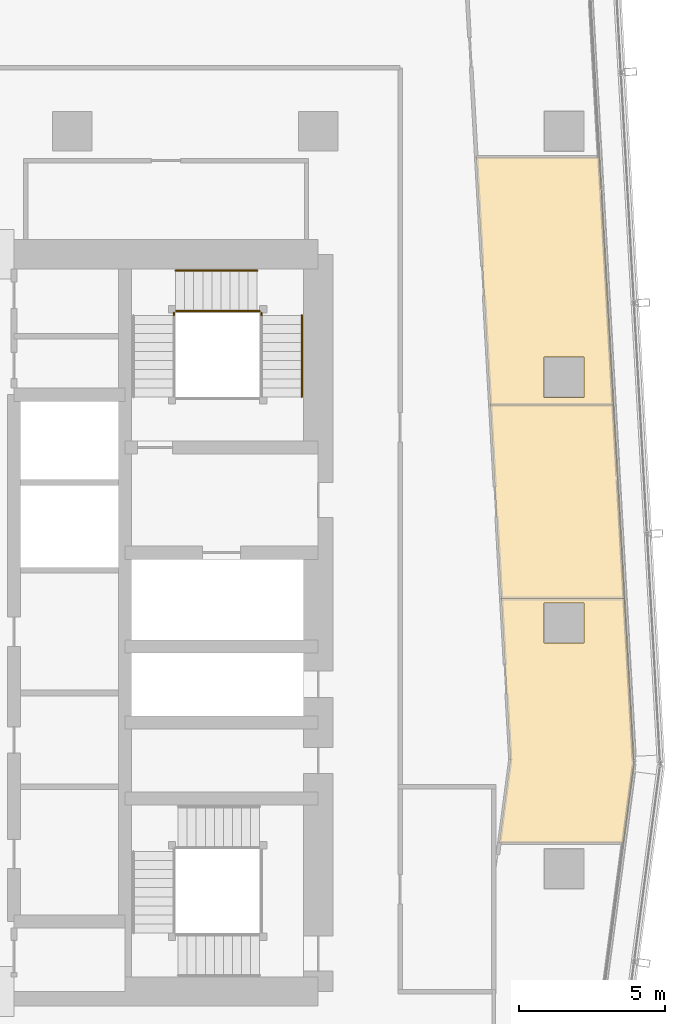
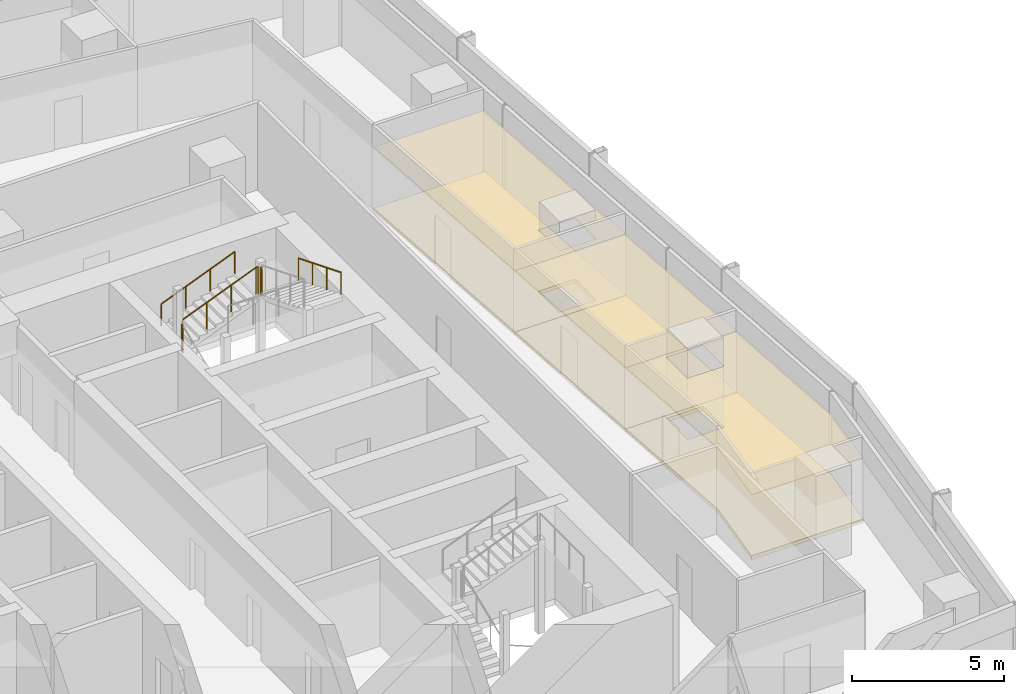
# One storey, part 37 of 38: 6 coverings, 6 railings.
"""IFC4 building model written with IfcOpenShell, lengths in metres."""

import ifcopenshell
import ifcopenshell.guid

model = None  # the IFC model being written
_history = None  # IfcOwnerHistory: only IFC2X3 demands one
_inside = {}  # id of a spatial element -> (the spatial element, [elements in it])
_under = {}  # id of a project, library or spatial element -> (it, [spatial elements below it])
_declared = {}  # id of a project -> (the project, [libraries it declares])
_typed = {}  # id of a type object -> (the type object, [elements of that type])
_made_of = {}  # id of a material, layer set ... -> (it, [elements and type objects made of it])


def new_model(schema):
    """Start an empty IFC model of exactly this schema.

    Asked for "IFC4X3", IfcOpenShell would pick the latest addendum, in which some entities
    have other attributes; the version numbers below select the first issue.
    IFC2X3 requires an IfcOwnerHistory on every rooted entity: one is made here for all.
    """
    global model, _history
    if schema == "IFC4X3":
        model = ifcopenshell.file(schema_version=(4, 3, 0, 0))
    else:
        model = ifcopenshell.file(schema=schema)
    _inside.clear()
    _under.clear()
    _declared.clear()
    _typed.clear()
    _made_of.clear()
    _history = None
    if model.schema == "IFC2X3":
        org = make("IfcOrganization", Name="unknown")
        user = make(
            "IfcPersonAndOrganization",
            ThePerson=make("IfcPerson", FamilyName="unknown"),
            TheOrganization=org,
        )
        app = make(
            "IfcApplication",
            ApplicationDeveloper=org,
            Version="unknown",
            ApplicationFullName="unknown",
            ApplicationIdentifier="unknown",
        )
        _history = make(
            "IfcOwnerHistory",
            OwningUser=user,
            OwningApplication=app,
            ChangeAction="ADDED",
            CreationDate=0,
        )
    return model


def make(cls, **values):
    """One entity of the class cls with the attributes given. An attribute that is None is left unset."""
    return model.create_entity(
        cls, **{name: value for name, value in values.items() if value is not None}
    )


def rooted(cls, **values):
    """An entity with a GlobalId (a new one), such as an element, a storey or a relation."""
    return make(cls, GlobalId=ifcopenshell.guid.new(), OwnerHistory=_history, **values)


def si_unit(unit_type, name, prefix=None):
    """IfcSIUnit, for example si_unit("LENGTHUNIT", "METRE", prefix="MILLI")."""
    return make("IfcSIUnit", UnitType=unit_type, Prefix=prefix, Name=name)


def assignment(units):
    """IfcUnitAssignment: the units of a project."""
    return None if units is None else make("IfcUnitAssignment", Units=units)


def point(xyz):
    """IfcCartesianPoint."""
    return None if xyz is None else make("IfcCartesianPoint", Coordinates=xyz)


def direction(xyz):
    """IfcDirection."""
    return None if xyz is None else make("IfcDirection", DirectionRatios=xyz)


def frame(location, z_axis=None, x_axis=None):
    """IfcAxis2Placement3D, a coordinate frame: its origin and axes. An axis left out is left unset."""
    return make(
        "IfcAxis2Placement3D",
        Location=point(location),
        Axis=direction(z_axis),
        RefDirection=direction(x_axis),
    )


def frame_2d(location, x_axis=None):
    """IfcAxis2Placement2D, a coordinate frame in the plane: its origin and x axis."""
    return make(
        "IfcAxis2Placement2D", Location=point(location), RefDirection=direction(x_axis)
    )


def origin():
    """The frame at (0, 0, 0) with its axes left unset."""
    return frame((0.0, 0.0, 0.0))


def origin_2d():
    """The frame at (0, 0) in the plane with its x axis left unset."""
    return frame_2d((0.0, 0.0))


def place(relative_to, where):
    """IfcLocalPlacement: puts the frame where relative to a parent placement (None: the world)."""
    return make(
        "IfcLocalPlacement", PlacementRelTo=relative_to, RelativePlacement=where
    )


def context(
    kind, dimensions, precision=None, world=None, true_north=None, identifier=None
):
    """IfcGeometricRepresentationContext, for example the 3D "Model" context."""
    return make(
        "IfcGeometricRepresentationContext",
        ContextIdentifier=identifier,
        ContextType=kind,
        CoordinateSpaceDimension=dimensions,
        Precision=precision,
        WorldCoordinateSystem=world,
        TrueNorth=true_north,
    )


def subcontext(parent, identifier, kind, view, scale=None):
    """IfcGeometricRepresentationSubContext, for example "Body" below "Model"."""
    return make(
        "IfcGeometricRepresentationSubContext",
        ContextIdentifier=identifier,
        ContextType=kind,
        ParentContext=parent,
        TargetScale=scale,
        TargetView=view,
    )


def project(units=None, contexts=None):
    """IfcProject with its units and contexts."""
    return rooted(
        "IfcProject",
        Name="project",
        RepresentationContexts=contexts,
        UnitsInContext=assignment(units),
    )


def spatial(cls, under=None, at=None, **own):
    """A site, building, storey or space (cls), placed at a placement, below another one or the project."""
    s = rooted(cls, ObjectPlacement=at, **own)
    if under is not None:
        _under.setdefault(under.id(), (under, []))[1].append(s)
    return s


def polyline(points):
    """IfcPolyline through the points."""
    return make("IfcPolyline", Points=[point(p) for p in points])


def profile(cls, at=None, kind="AREA", **sizes):
    """A parametric profile (cls). Its sizes go by their IFC names, for example OverallWidth=200.0."""
    return make(cls, ProfileType=kind, Position=at, **sizes)


def circle(**sizes):
    """IfcCircleProfileDef."""
    return profile("IfcCircleProfileDef", **sizes)


def outline(outer, holes=None, kind="AREA"):
    """IfcArbitraryClosedProfileDef: a profile drawn as a closed curve; with holes, ...WithVoids."""
    if holes is None:
        return make("IfcArbitraryClosedProfileDef", ProfileType=kind, OuterCurve=outer)
    return make(
        "IfcArbitraryProfileDefWithVoids",
        ProfileType=kind,
        OuterCurve=outer,
        InnerCurves=holes,
    )


def extrude(swept, where, along, depth):
    """IfcExtrudedAreaSolid: the profile swept, set in the frame where, extruded along a direction by depth."""
    return make(
        "IfcExtrudedAreaSolid",
        SweptArea=swept,
        Position=where,
        ExtrudedDirection=direction(along),
        Depth=depth,
    )


def shape(context_of_items, identifier, shape_type, items):
    """IfcShapeRepresentation: the items that make up one representation, for example the "Body"."""
    return make(
        "IfcShapeRepresentation",
        ContextOfItems=context_of_items,
        RepresentationIdentifier=identifier,
        RepresentationType=shape_type,
        Items=items,
    )


def material(Name=None, Category=None):
    """IfcMaterial."""
    return make("IfcMaterial", Name=Name, Category=Category)


def layer(
    of_material, thickness, ventilated=None, Name=None, Category=None, Priority=None
):
    """IfcMaterialLayer: one layer of a wall or slab, of a material (None: an air gap)."""
    return make(
        "IfcMaterialLayer",
        Material=of_material,
        LayerThickness=thickness,
        IsVentilated=ventilated,
        Name=Name,
        Category=Category,
        Priority=Priority,
    )


def layer_set(layers, Name=None):
    """IfcMaterialLayerSet."""
    return make("IfcMaterialLayerSet", MaterialLayers=layers, LayerSetName=Name)


def made_of(thing, what):
    """Note that an element or type object is made of a material, layer set ...; save() writes the relation."""
    if what is not None:
        _made_of.setdefault(what.id(), (what, []))[1].append(thing)
    return thing


def type_object(cls, material=None, **own):
    """A type object (cls), such as IfcWallType, which elements share."""
    return made_of(rooted(cls, **own), material)


def element(
    cls,
    number,
    at=None,
    inside=None,
    cuts=None,
    type_object=None,
    material=None,
    context=None,
    identifier="Body",
    shape_type=None,
    held_by="IfcProductDefinitionShape",
    body=None,
    shapes=None,
    **own,
):
    """One element of the class cls, such as IfcWall. Its Tag is "e" and its number.

    at: its placement. inside: the storey or other place that contains it. cuts: it is an
    opening in that element (IfcRelVoidsElement). A single representation is given by context,
    identifier, shape_type and body (its items); several are given by shapes. held_by: the class
    of the entity that holds the representations. save() writes the other relations.
    """
    e = rooted(cls, Tag="e%d" % number, ObjectPlacement=at, **own)
    if body is not None:
        shapes = [shape(context, identifier, shape_type, body)]
    if shapes is not None:
        e.Representation = make(held_by, Representations=shapes)
    if inside is not None:
        _inside.setdefault(inside.id(), (inside, []))[1].append(e)
    if cuts is not None:
        rooted(
            "IfcRelVoidsElement", RelatingBuildingElement=cuts, RelatedOpeningElement=e
        )
    if type_object is not None:
        _typed.setdefault(type_object.id(), (type_object, []))[1].append(e)
    return made_of(e, material)


def aggregate(whole, parts):
    """IfcRelAggregates: a whole, such as a stair, and the parts it consists of."""
    return rooted("IfcRelAggregates", RelatingObject=whole, RelatedObjects=parts)


def save(model, path):
    """Write the relations noted so far, then the file.

    IfcRelAggregates (storeys below a building ...), IfcRelContainedInSpatialStructure (elements
    in a storey), IfcRelDefinesByType, IfcRelAssociatesMaterial and IfcRelDeclares: one each for
    every whole, place, type object, material and project.
    """
    for whole, parts in _under.values():
        aggregate(whole, parts)
    for where, things in _inside.values():
        rooted(
            "IfcRelContainedInSpatialStructure",
            RelatedElements=things,
            RelatingStructure=where,
        )
    for kind, things in _typed.values():
        rooted("IfcRelDefinesByType", RelatedObjects=things, RelatingType=kind)
    for what, things in _made_of.values():
        rooted("IfcRelAssociatesMaterial", RelatedObjects=things, RelatingMaterial=what)
    for by, libraries in _declared.values():
        rooted("IfcRelDeclares", RelatingContext=by, RelatedDefinitions=libraries)
    model.write(path)


model = new_model("IFC4")

# Units and contexts
model_context = context("Model", 3, precision=1e-05, world=origin(), true_north=direction((0.0, 1.0)))
body_context = subcontext(model_context, "Body", "Model", "MODEL_VIEW")
ifc_project = project(units=[si_unit("LENGTHUNIT", "METRE"), si_unit("AREAUNIT", "SQUARE_METRE"), si_unit("VOLUMEUNIT", "CUBIC_METRE"), si_unit("PLANEANGLEUNIT", "RADIAN"), si_unit("MASSUNIT", "GRAM", prefix="KILO")], contexts=[model_context])

# Site, building, storey
site_placement = place(None, origin())
site = spatial("IfcSite", under=ifc_project, at=site_placement, CompositionType="ELEMENT")
building_placement = place(site_placement, origin())
building = spatial("IfcBuilding", under=site, at=building_placement, Name="Rekha Terrace Tower", CompositionType="ELEMENT")
storey_placement = place(building_placement, frame((0.0, 0.0, 198.949951171875)))
storey = spatial("IfcBuildingStorey", under=building, at=storey_placement, Name="L50", CompositionType="ELEMENT", Elevation=198.949951171875)

# Coverings
ifc_material_1 = material(Name="Mineral fibre tile in exposed grid", Category="finish")
ifc_layer_1 = layer(ifc_material_1, 0.02001953125)
ifc_layer_set_1 = layer_set([ifc_layer_1], Name="Mineral fibre tile in exposed grid")
covering_type_1 = type_object("IfcCoveringType", Name="CL1 600x1200 office grid ceiling", PredefinedType="CEILING", material=ifc_layer_set_1)
covering_1_placement = place(storey_placement, frame((0.0, 0.0, 2.580078125)))
element("IfcCovering", 1, at=covering_1_placement, inside=storey, type_object=covering_type_1, Name="Ceiling L50-03", PredefinedType="CEILING", context=body_context, shape_type="SweptSolid", body=[
    extrude(outline(polyline([(56.657958984375, 34.43310546875), (56.969970703125, 28.93798828125), (56.592041015625, 26.083984375), (60.8291015625, 26.083984375), (61.18603515625, 28.780029296875), (60.864990234375, 34.43310546875), (56.657958984375, 34.43310546875)]), holes=[polyline([(59.489990234375, 34.2900390625), (59.489990234375, 32.909912109375), (58.110107421875, 32.909912109375), (58.110107421875, 34.2900390625), (59.489990234375, 34.2900390625)])]), origin(), (0.0, 0.0, 1.0), 0.02001953125),
])
covering_2_placement = place(storey_placement, frame((0.0, 0.0, 2.580078125)))
element("IfcCovering", 2, at=covering_2_placement, inside=storey, type_object=covering_type_1, Name="Ceiling L50-04", PredefinedType="CEILING", context=body_context, shape_type="SweptSolid", body=[
    extrude(outline(polyline([(56.657958984375, 34.43408203125), (60.864990234375, 34.43408203125), (60.489013671875, 41.053955078125), (56.282958984375, 41.053955078125), (56.657958984375, 34.43408203125)])), origin(), (0.0, 0.0, 1.0), 0.02001953125),
])
covering_3_placement = place(storey_placement, frame((0.0, 0.0, 2.580078125)))
element("IfcCovering", 3, at=covering_3_placement, inside=storey, type_object=covering_type_1, Name="Ceiling L50-05", PredefinedType="CEILING", context=body_context, shape_type="SweptSolid", body=[
    extrude(outline(polyline([(56.282958984375, 41.054931640625), (60.489013671875, 41.054931640625), (60.009033203125, 49.52001953125), (55.802001953125, 49.52001953125), (56.282958984375, 41.054931640625)]), holes=[polyline([(59.489990234375, 41.31005859375), (58.110107421875, 41.31005859375), (58.110107421875, 42.68994140625), (59.489990234375, 42.68994140625), (59.489990234375, 41.31005859375)])]), origin(), (0.0, 0.0, 1.0), 0.02001953125),
])

# Railings
ifc_material_2 = material(Name="Stainless steel balustrade", Category="steel")
railing_type_1 = type_object("IfcRailingType", Name="GR1 1100 stair guard", PredefinedType="GUARDRAIL", material=ifc_material_2)
railing_1_placement = place(storey_placement, frame((45.52490234375, 44.260009765625, 1.375)))
element("IfcRailing", 4, at=railing_1_placement, inside=storey, type_object=railing_type_1, Name="Guard ST2 L50 flight 2", PredefinedType="GUARDRAIL", context=body_context, shape_type="SweptSolid", body=[
    extrude(circle(Radius=0.02392578125, at=origin_2d()), frame((0.0, 0.0, 1.076171875), z_axis=(0.927443287984, 0.0, 0.373963831907), x_axis=(0.0, 1.0, 0.0)), (0.0, 0.0, 1.0), 3.00830078125),
    extrude(circle(Radius=0.02099609375, at=origin_2d()), origin(), (0.0, 0.0, 1.0), 1.052001953125),
    extrude(circle(Radius=0.02099609375, at=origin_2d()), frame((0.929931640625, 0.0, 0.375)), (0.0, 0.0, 1.0), 1.052001953125),
    extrude(circle(Radius=0.02099609375, at=origin_2d()), frame((1.860107421875, 0.0, 0.75)), (0.0, 0.0, 1.0), 1.052001953125),
    extrude(circle(Radius=0.02099609375, at=origin_2d()), frame((2.7900390625, 0.0, 1.125)), (0.0, 0.0, 1.0), 1.052001953125),
])
railing_2_placement = place(storey_placement, frame((45.465087890625, 44.114990234375, 1.25)))
element("IfcRailing", 5, at=railing_2_placement, inside=storey, type_object=railing_type_1, Name="Guard ST2 L50 landing 1", PredefinedType="GUARDRAIL", context=body_context, shape_type="SweptSolid", body=[
    extrude(circle(Radius=0.02392578125, at=origin_2d()), frame((0.0, 0.0, 1.076171875), z_axis=(0.0, 1.0, 0.0), x_axis=(-1.0, 0.0, 0.0)), (0.0, 0.0, 1.0), 0.0849609375),
    extrude(circle(Radius=0.02099609375, at=origin_2d()), origin(), (0.0, 0.0, 1.0), 1.052001953125),
    extrude(circle(Radius=0.02099609375, at=origin_2d()), frame((0.0, 0.0849609375, 0.0)), (0.0, 0.0, 1.0), 1.052001953125),
])
railing_3_placement = place(storey_placement, frame((48.31494140625, 44.260009765625, 2.5)))
element("IfcRailing", 6, at=railing_3_placement, inside=storey, type_object=railing_type_1, Name="Guard ST2 L50 landing 2", PredefinedType="GUARDRAIL", context=body_context, shape_type="SweptSolid", body=[
    extrude(circle(Radius=0.02392578125, at=origin_2d()), frame((0.0, 0.0, 1.076171875), z_axis=(1.0, 0.0, 0.0), x_axis=(0.0, 1.0, 0.0)), (0.0, 0.0, 1.0), 0.0849609375),
    extrude(circle(Radius=0.02099609375, at=origin_2d()), origin(), (0.0, 0.0, 1.0), 1.052001953125),
    extrude(circle(Radius=0.02099609375, at=origin_2d()), frame((0.0849609375, 0.0, 0.0)), (0.0, 0.0, 1.0), 1.052001953125),
])
railing_4_placement = place(storey_placement, frame((48.4599609375, 44.114990234375, 2.5)))
element("IfcRailing", 7, at=railing_4_placement, inside=storey, type_object=railing_type_1, Name="Guard ST2 L50 landing 3", PredefinedType="GUARDRAIL", context=body_context, shape_type="SweptSolid", body=[
    extrude(circle(Radius=0.02392578125, at=origin_2d()), frame((0.0, 0.0, 1.076171875), z_axis=(0.0, 1.0, 0.0), x_axis=(-1.0, 0.0, 0.0)), (0.0, 0.0, 1.0), 0.0849609375),
    extrude(circle(Radius=0.02099609375, at=origin_2d()), origin(), (0.0, 0.0, 1.0), 1.052001953125),
    extrude(circle(Radius=0.02099609375, at=origin_2d()), frame((0.0, 0.0849609375, 0.0)), (0.0, 0.0, 1.0), 1.052001953125),
])
ifc_material_3 = material(Name="Stainless steel tube", Category="steel")
railing_type_2 = type_object("IfcRailingType", Name="HR1 900 stair handrail", PredefinedType="HANDRAIL", material=ifc_material_3)
railing_5_placement = place(storey_placement, frame((45.52490234375, 45.639892578125, 1.375)))
element("IfcRailing", 8, at=railing_5_placement, inside=storey, type_object=railing_type_2, Name="Handrail ST2 L50 flight 2", PredefinedType="HANDRAIL", context=body_context, shape_type="SweptSolid", body=[
    extrude(circle(Radius=0.02392578125, at=origin_2d()), frame((0.0, 0.0, 0.8759765625), z_axis=(0.927443287984, 0.0, 0.373963831907), x_axis=(0.0, 1.0, 0.0)), (0.0, 0.0, 1.0), 3.00830078125),
    extrude(circle(Radius=0.02099609375, at=origin_2d()), origin(), (0.0, 0.0, 1.0), 0.851806640625),
    extrude(circle(Radius=0.02099609375, at=origin_2d()), frame((0.929931640625, 0.0, 0.375)), (0.0, 0.0, 1.0), 0.851806640625),
    extrude(circle(Radius=0.02099609375, at=origin_2d()), frame((1.860107421875, 0.0, 0.75)), (0.0, 0.0, 1.0), 0.851806640625),
    extrude(circle(Radius=0.02099609375, at=origin_2d()), frame((2.7900390625, 0.0, 1.125)), (0.0, 0.0, 1.0), 0.851806640625),
])
railing_6_placement = place(storey_placement, frame((49.840087890625, 44.114990234375, 2.625)))
element("IfcRailing", 9, at=railing_6_placement, inside=storey, type_object=railing_type_2, Name="Handrail ST2 L50 flight 3", PredefinedType="HANDRAIL", context=body_context, shape_type="SweptSolid", body=[
    extrude(circle(Radius=0.02392578125, at=origin_2d()), frame((0.0, 0.0, 0.8759765625), z_axis=(0.0, -0.927443287984, 0.373963831907), x_axis=(1.0, 0.0, 0.0)), (0.0, 0.0, 1.0), 3.00830078125),
    extrude(circle(Radius=0.02099609375, at=origin_2d()), origin(), (0.0, 0.0, 1.0), 0.851806640625),
    extrude(circle(Radius=0.02099609375, at=origin_2d()), frame((0.0, -0.929931640625, 0.375)), (0.0, 0.0, 1.0), 0.851806640625),
    extrude(circle(Radius=0.02099609375, at=origin_2d()), frame((0.0, -1.860107421875, 0.75)), (0.0, 0.0, 1.0), 0.851806640625),
    extrude(circle(Radius=0.02099609375, at=origin_2d()), frame((0.0, -2.7900390625, 1.125)), (0.0, 0.0, 1.0), 0.851806640625),
])

# Coverings
ifc_material_4 = material(Name="Calcium sulphate panels on steel pedestals", Category="steel")
ifc_layer_2 = layer(ifc_material_4, 0.14990234375)
ifc_layer_set_2 = layer_set([ifc_layer_2], Name="Calcium sulphate panels on steel pedestals")
covering_type_2 = type_object("IfcCoveringType", Name="RF1 150 raised access floor", PredefinedType="FLOORING", material=ifc_layer_set_2)
covering_4_placement = place(storey_placement, origin())
element("IfcCovering", 10, at=covering_4_placement, inside=storey, type_object=covering_type_2, Name="Raised floor L50-03", PredefinedType="FLOORING", context=body_context, shape_type="SweptSolid", body=[
    extrude(outline(polyline([(56.657958984375, 34.43310546875), (56.969970703125, 28.93798828125), (56.592041015625, 26.083984375), (60.8291015625, 26.083984375), (61.18603515625, 28.780029296875), (60.864990234375, 34.43310546875), (56.657958984375, 34.43310546875)]), holes=[polyline([(59.489990234375, 34.2900390625), (59.489990234375, 32.909912109375), (58.110107421875, 32.909912109375), (58.110107421875, 34.2900390625), (59.489990234375, 34.2900390625)])]), origin(), (0.0, 0.0, 1.0), 0.150146484375),
])
covering_5_placement = place(storey_placement, origin())
element("IfcCovering", 11, at=covering_5_placement, inside=storey, type_object=covering_type_2, Name="Raised floor L50-04", PredefinedType="FLOORING", context=body_context, shape_type="SweptSolid", body=[
    extrude(outline(polyline([(56.657958984375, 34.43408203125), (60.864990234375, 34.43408203125), (60.489013671875, 41.053955078125), (56.282958984375, 41.053955078125), (56.657958984375, 34.43408203125)])), origin(), (0.0, 0.0, 1.0), 0.150146484375),
])
covering_6_placement = place(storey_placement, origin())
element("IfcCovering", 12, at=covering_6_placement, inside=storey, type_object=covering_type_2, Name="Raised floor L50-05", PredefinedType="FLOORING", context=body_context, shape_type="SweptSolid", body=[
    extrude(outline(polyline([(56.282958984375, 41.054931640625), (60.489013671875, 41.054931640625), (60.009033203125, 49.52001953125), (55.802001953125, 49.52001953125), (56.282958984375, 41.054931640625)]), holes=[polyline([(59.489990234375, 41.31005859375), (58.110107421875, 41.31005859375), (58.110107421875, 42.68994140625), (59.489990234375, 42.68994140625), (59.489990234375, 41.31005859375)])]), origin(), (0.0, 0.0, 1.0), 0.150146484375),
])

save(model, "model.ifc")
